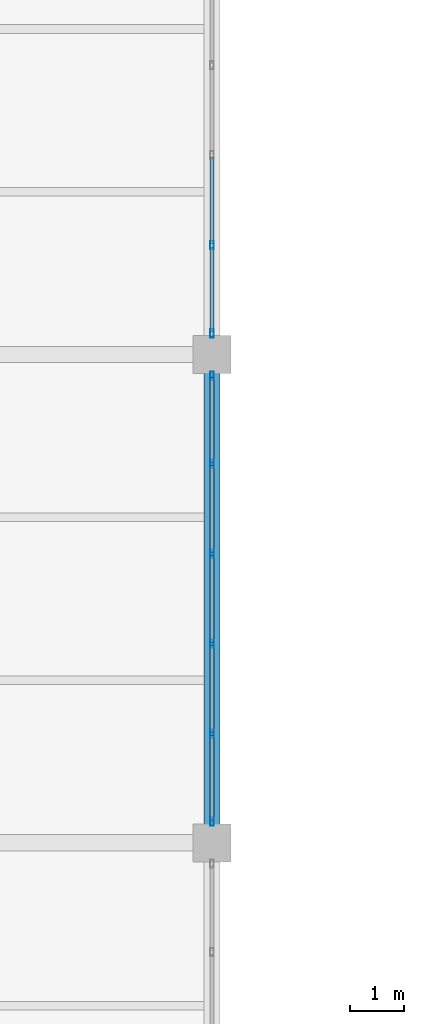
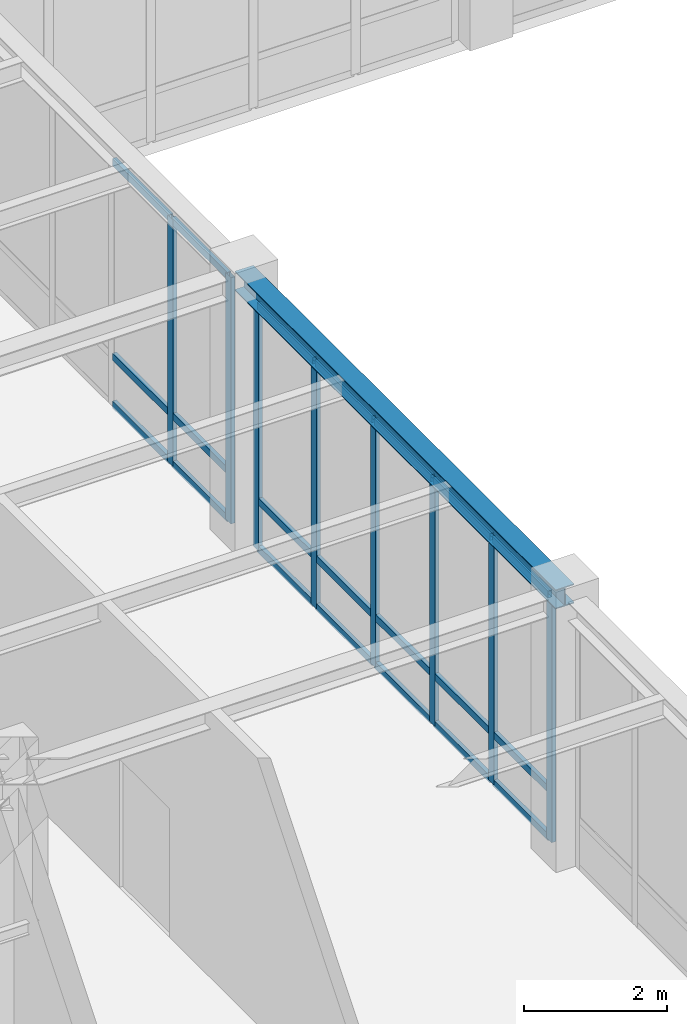
# One storey, part 24 of 98: 29 members, 1 beam, 2 elements without a shape of their own.
"""IFC4 building model written with IfcOpenShell, lengths in metres."""

from ifc_helpers import new_model, si_unit, direction, frame, origin, origin_2d, place, context, subcontext, project, spatial, hollow_rectangle, i_section, extrude, material, material_profile, profile_set, type_object, element, aggregate, save


model = new_model("IFC4")

# Units and contexts
model_context = context("Model", 3, precision=1e-05, world=origin(), true_north=direction((0.0, 1.0)))
body_context = subcontext(model_context, "Body", "Model", "MODEL_VIEW")
ifc_project = project(units=[si_unit("LENGTHUNIT", "METRE"), si_unit("AREAUNIT", "SQUARE_METRE"), si_unit("VOLUMEUNIT", "CUBIC_METRE"), si_unit("PLANEANGLEUNIT", "RADIAN"), si_unit("MASSUNIT", "GRAM", prefix="KILO")], contexts=[model_context])

# Site, building, storey
site_placement = place(None, origin())
site = spatial("IfcSite", under=ifc_project, at=site_placement, CompositionType="ELEMENT")
building_placement = place(site_placement, origin())
building = spatial("IfcBuilding", under=site, at=building_placement, Name="Lykobir Media Centre", CompositionType="ELEMENT")
storey_placement = place(building_placement, frame((0.0, 0.0, 10.199951171875)))
storey = spatial("IfcBuildingStorey", under=building, at=storey_placement, Name="L02", CompositionType="ELEMENT", Elevation=10.199951171875)

# Beam
ifc_material_1 = material(Name="Steel S355", Category="steel")
ifc_material_profile_1 = material_profile(ifc_material_1, i_section(OverallWidth=0.300048828125, OverallDepth=0.330078125, WebThickness=0.009521484375, FlangeThickness=0.0166015625, at=origin_2d()), Name="HEA 340")
ifc_profile_set_1 = profile_set([ifc_material_profile_1], Name="Steel S355")
beam_type = type_object("IfcBeamType", Name="BM-HEA340", PredefinedType="BEAM", material=ifc_profile_set_1)
beam_placement = place(storey_placement, frame((36.0, 45.0, 4.39501953125), z_axis=(0.0, 1.0, 0.0), x_axis=(-1.0, 0.0, 0.0)))
element("IfcBeam", 1, at=beam_placement, inside=storey, type_object=beam_type, Name="Beam BM-L02-0360-0450-0360-0540-1460", PredefinedType="BEAM", context=body_context, shape_type="SweptSolid", body=[
    extrude(i_section(OverallWidth=0.300048828125, OverallDepth=0.330078125, WebThickness=0.009521484375, FlangeThickness=0.0166015625, at=origin_2d()), origin(), (0.0, 0.0, 1.0), 9.0),
])

# Curtain wall, members
ifc_material_2 = material(Name="Anodized Aluminium AW-6060", Category="aluminium")
curtain_wall_type = type_object("IfcCurtainWallType", Name="CW-COURT-A", PredefinedType="NOTDEFINED", material=ifc_material_2)
curtain_wall_1_placement = place(storey_placement, origin())
curtain_wall_1 = element("IfcCurtainWall", 2, at=curtain_wall_1_placement, inside=storey, type_object=curtain_wall_type, Name="Curtain wall CW2-L02-0080", PredefinedType="NOTDEFINED")
ifc_material_profile_2 = material_profile(ifc_material_2, hollow_rectangle(XDim=0.06494140625, YDim=0.14990234375, WallThickness=0.00341796875, at=origin_2d()), Name="ALU MULLION 65x150")
ifc_profile_set_2 = profile_set([ifc_material_profile_2], Name="Anodized Aluminium AW-6060")
member_type_1 = type_object("IfcMemberType", Name="CWM-150", PredefinedType="MULLION", material=ifc_profile_set_2)
member_1_placement = place(storey_placement, frame((36.0, 53.612548828125, 0.0), z_axis=(0.0, 0.0, 1.0), x_axis=(1.0, 0.0, 0.0)))
member_1 = element("IfcMember", 3, at=member_1_placement, type_object=member_type_1, Name="CW2-L02-0080 mullion 1", PredefinedType="MULLION", context=body_context, shape_type="SweptSolid", body=[
    extrude(hollow_rectangle(XDim=0.06494140625, YDim=0.14990234375, WallThickness=0.00341796875, at=origin_2d()), origin(), (0.0, 0.0, 1.0), 4.215087890625),
])
member_2_placement = place(storey_placement, frame((36.0, 51.987060546875, 0.0), z_axis=(0.0, 0.0, 1.0), x_axis=(1.0, 0.0, 0.0)))
member_2 = element("IfcMember", 4, at=member_2_placement, type_object=member_type_1, Name="CW2-L02-0080 mullion 2", PredefinedType="MULLION", context=body_context, shape_type="SweptSolid", body=[
    extrude(hollow_rectangle(XDim=0.06494140625, YDim=0.14990234375, WallThickness=0.00341796875, at=origin_2d()), origin(), (0.0, 0.0, 1.0), 4.215087890625),
])
member_3_placement = place(storey_placement, frame((36.0, 50.3291015625, 0.0), z_axis=(0.0, 0.0, 1.0), x_axis=(1.0, 0.0, 0.0)))
member_3 = element("IfcMember", 5, at=member_3_placement, type_object=member_type_1, Name="CW2-L02-0080 mullion 3", PredefinedType="MULLION", context=body_context, shape_type="SweptSolid", body=[
    extrude(hollow_rectangle(XDim=0.06494140625, YDim=0.14990234375, WallThickness=0.00341796875, at=origin_2d()), origin(), (0.0, 0.0, 1.0), 4.215087890625),
])
member_4_placement = place(storey_placement, frame((36.0, 48.6708984375, 0.0), z_axis=(0.0, 0.0, 1.0), x_axis=(1.0, 0.0, 0.0)))
member_4 = element("IfcMember", 6, at=member_4_placement, type_object=member_type_1, Name="CW2-L02-0080 mullion 4", PredefinedType="MULLION", context=body_context, shape_type="SweptSolid", body=[
    extrude(hollow_rectangle(XDim=0.06494140625, YDim=0.14990234375, WallThickness=0.00341796875, at=origin_2d()), origin(), (0.0, 0.0, 1.0), 4.215087890625),
])
member_5_placement = place(storey_placement, frame((36.0, 47.012939453125, 0.0), z_axis=(0.0, 0.0, 1.0), x_axis=(1.0, 0.0, 0.0)))
member_5 = element("IfcMember", 7, at=member_5_placement, type_object=member_type_1, Name="CW2-L02-0080 mullion 5", PredefinedType="MULLION", context=body_context, shape_type="SweptSolid", body=[
    extrude(hollow_rectangle(XDim=0.06494140625, YDim=0.14990234375, WallThickness=0.00341796875, at=origin_2d()), origin(), (0.0, 0.0, 1.0), 4.215087890625),
])
member_6_placement = place(storey_placement, frame((36.0, 45.387451171875, 0.0), z_axis=(0.0, 0.0, 1.0), x_axis=(1.0, 0.0, 0.0)))
member_6 = element("IfcMember", 8, at=member_6_placement, type_object=member_type_1, Name="CW2-L02-0080 mullion 6", PredefinedType="MULLION", context=body_context, shape_type="SweptSolid", body=[
    extrude(hollow_rectangle(XDim=0.06494140625, YDim=0.14990234375, WallThickness=0.00341796875, at=origin_2d()), origin(), (0.0, 0.0, 1.0), 4.215087890625),
])

curtain_wall_2_placement = place(storey_placement, origin())
curtain_wall_2 = element("IfcCurtainWall", 9, at=curtain_wall_2_placement, inside=storey, type_object=curtain_wall_type, Name="Curtain wall CW2-L02-0081", PredefinedType="NOTDEFINED")
member_7_placement = place(storey_placement, frame((36.0, 56.012939453125, 0.0), z_axis=(0.0, 0.0, 1.0), x_axis=(1.0, 0.0, 0.0)))
member_7 = element("IfcMember", 10, at=member_7_placement, type_object=member_type_1, Name="CW2-L02-0081 mullion 5", PredefinedType="MULLION", context=body_context, shape_type="SweptSolid", body=[
    extrude(hollow_rectangle(XDim=0.06494140625, YDim=0.14990234375, WallThickness=0.00341796875, at=origin_2d()), origin(), (0.0, 0.0, 1.0), 4.215087890625),
])
member_8_placement = place(storey_placement, frame((36.0, 54.387451171875, 0.0), z_axis=(0.0, 0.0, 1.0), x_axis=(1.0, 0.0, 0.0)))
member_8 = element("IfcMember", 11, at=member_8_placement, type_object=member_type_1, Name="CW2-L02-0081 mullion 6", PredefinedType="MULLION", context=body_context, shape_type="SweptSolid", body=[
    extrude(hollow_rectangle(XDim=0.06494140625, YDim=0.14990234375, WallThickness=0.00341796875, at=origin_2d()), origin(), (0.0, 0.0, 1.0), 4.215087890625),
])

# Member
ifc_material_profile_3 = material_profile(ifc_material_2, hollow_rectangle(XDim=0.06494140625, YDim=0.1201171875, WallThickness=0.0029296875, at=origin_2d()), Name="ALU TRANSOM 65x120")
ifc_profile_set_3 = profile_set([ifc_material_profile_3], Name="Anodized Aluminium AW-6060")
member_type_2 = type_object("IfcMemberType", Name="CWT-120", PredefinedType="USERDEFINED", material=ifc_profile_set_3)
member_9_placement = place(storey_placement, frame((36.0, 53.580078125, 0.032470703125), z_axis=(0.0, -1.0, 0.0), x_axis=(1.0, 0.0, 0.0)))
member_9 = element("IfcMember", 12, at=member_9_placement, type_object=member_type_2, Name="CW2-L02-0080 transom 1.1", ObjectType="TRANSOM", PredefinedType="USERDEFINED", context=body_context, shape_type="SweptSolid", body=[
    extrude(hollow_rectangle(XDim=0.06494140625, YDim=0.1201171875, WallThickness=0.0029296875, at=origin_2d()), origin(), (0.0, 0.0, 1.0), 1.560546875),
])

member_10_placement = place(storey_placement, frame((36.0, 53.580078125, 0.85009765625), z_axis=(0.0, -1.0, 0.0), x_axis=(1.0, 0.0, 0.0)))
member_10 = element("IfcMember", 13, at=member_10_placement, type_object=member_type_2, Name="CW2-L02-0080 transom 1.2", ObjectType="TRANSOM", PredefinedType="USERDEFINED", context=body_context, shape_type="SweptSolid", body=[
    extrude(hollow_rectangle(XDim=0.06494140625, YDim=0.1201171875, WallThickness=0.0029296875, at=origin_2d()), origin(), (0.0, 0.0, 1.0), 1.560546875),
])

member_11_placement = place(storey_placement, frame((36.0, 53.580078125, 4.1826171875), z_axis=(0.0, -1.0, 0.0), x_axis=(1.0, 0.0, 0.0)))
member_11 = element("IfcMember", 14, at=member_11_placement, type_object=member_type_2, Name="CW2-L02-0080 transom 1.3", ObjectType="TRANSOM", PredefinedType="USERDEFINED", context=body_context, shape_type="SweptSolid", body=[
    extrude(hollow_rectangle(XDim=0.06494140625, YDim=0.1201171875, WallThickness=0.0029296875, at=origin_2d()), origin(), (0.0, 0.0, 1.0), 1.560546875),
])

member_12_placement = place(storey_placement, frame((36.0, 51.95458984375, 0.032470703125), z_axis=(0.0, -1.0, 0.0), x_axis=(1.0, 0.0, 0.0)))
member_12 = element("IfcMember", 15, at=member_12_placement, type_object=member_type_2, Name="CW2-L02-0080 transom 2.1", ObjectType="TRANSOM", PredefinedType="USERDEFINED", context=body_context, shape_type="SweptSolid", body=[
    extrude(hollow_rectangle(XDim=0.06494140625, YDim=0.1201171875, WallThickness=0.0029296875, at=origin_2d()), origin(), (0.0, 0.0, 1.0), 1.593017578125),
])

member_13_placement = place(storey_placement, frame((36.0, 51.95458984375, 0.85009765625), z_axis=(0.0, -1.0, 0.0), x_axis=(1.0, 0.0, 0.0)))
member_13 = element("IfcMember", 16, at=member_13_placement, type_object=member_type_2, Name="CW2-L02-0080 transom 2.2", ObjectType="TRANSOM", PredefinedType="USERDEFINED", context=body_context, shape_type="SweptSolid", body=[
    extrude(hollow_rectangle(XDim=0.06494140625, YDim=0.1201171875, WallThickness=0.0029296875, at=origin_2d()), origin(), (0.0, 0.0, 1.0), 1.593017578125),
])

member_14_placement = place(storey_placement, frame((36.0, 51.95458984375, 4.1826171875), z_axis=(0.0, -1.0, 0.0), x_axis=(1.0, 0.0, 0.0)))
member_14 = element("IfcMember", 17, at=member_14_placement, type_object=member_type_2, Name="CW2-L02-0080 transom 2.3", ObjectType="TRANSOM", PredefinedType="USERDEFINED", context=body_context, shape_type="SweptSolid", body=[
    extrude(hollow_rectangle(XDim=0.06494140625, YDim=0.1201171875, WallThickness=0.0029296875, at=origin_2d()), origin(), (0.0, 0.0, 1.0), 1.593017578125),
])

member_15_placement = place(storey_placement, frame((36.0, 50.29638671875, 0.032470703125), z_axis=(0.0, -1.0, 0.0), x_axis=(1.0, 0.0, 0.0)))
member_15 = element("IfcMember", 18, at=member_15_placement, type_object=member_type_2, Name="CW2-L02-0080 transom 3.1", ObjectType="TRANSOM", PredefinedType="USERDEFINED", context=body_context, shape_type="SweptSolid", body=[
    extrude(hollow_rectangle(XDim=0.06494140625, YDim=0.1201171875, WallThickness=0.0029296875, at=origin_2d()), origin(), (0.0, 0.0, 1.0), 1.5927734375),
])

member_16_placement = place(storey_placement, frame((36.0, 50.29638671875, 0.85009765625), z_axis=(0.0, -1.0, 0.0), x_axis=(1.0, 0.0, 0.0)))
member_16 = element("IfcMember", 19, at=member_16_placement, type_object=member_type_2, Name="CW2-L02-0080 transom 3.2", ObjectType="TRANSOM", PredefinedType="USERDEFINED", context=body_context, shape_type="SweptSolid", body=[
    extrude(hollow_rectangle(XDim=0.06494140625, YDim=0.1201171875, WallThickness=0.0029296875, at=origin_2d()), origin(), (0.0, 0.0, 1.0), 1.5927734375),
])

member_17_placement = place(storey_placement, frame((36.0, 50.29638671875, 4.1826171875), z_axis=(0.0, -1.0, 0.0), x_axis=(1.0, 0.0, 0.0)))
member_17 = element("IfcMember", 20, at=member_17_placement, type_object=member_type_2, Name="CW2-L02-0080 transom 3.3", ObjectType="TRANSOM", PredefinedType="USERDEFINED", context=body_context, shape_type="SweptSolid", body=[
    extrude(hollow_rectangle(XDim=0.06494140625, YDim=0.1201171875, WallThickness=0.0029296875, at=origin_2d()), origin(), (0.0, 0.0, 1.0), 1.5927734375),
])

member_18_placement = place(storey_placement, frame((36.0, 48.638427734375, 0.032470703125), z_axis=(0.0, -1.0, 0.0), x_axis=(1.0, 0.0, 0.0)))
member_18 = element("IfcMember", 21, at=member_18_placement, type_object=member_type_2, Name="CW2-L02-0080 transom 4.1", ObjectType="TRANSOM", PredefinedType="USERDEFINED", context=body_context, shape_type="SweptSolid", body=[
    extrude(hollow_rectangle(XDim=0.06494140625, YDim=0.1201171875, WallThickness=0.0029296875, at=origin_2d()), origin(), (0.0, 0.0, 1.0), 1.593017578125),
])

member_19_placement = place(storey_placement, frame((36.0, 48.638427734375, 0.85009765625), z_axis=(0.0, -1.0, 0.0), x_axis=(1.0, 0.0, 0.0)))
member_19 = element("IfcMember", 22, at=member_19_placement, type_object=member_type_2, Name="CW2-L02-0080 transom 4.2", ObjectType="TRANSOM", PredefinedType="USERDEFINED", context=body_context, shape_type="SweptSolid", body=[
    extrude(hollow_rectangle(XDim=0.06494140625, YDim=0.1201171875, WallThickness=0.0029296875, at=origin_2d()), origin(), (0.0, 0.0, 1.0), 1.593017578125),
])

member_20_placement = place(storey_placement, frame((36.0, 48.638427734375, 4.1826171875), z_axis=(0.0, -1.0, 0.0), x_axis=(1.0, 0.0, 0.0)))
member_20 = element("IfcMember", 23, at=member_20_placement, type_object=member_type_2, Name="CW2-L02-0080 transom 4.3", ObjectType="TRANSOM", PredefinedType="USERDEFINED", context=body_context, shape_type="SweptSolid", body=[
    extrude(hollow_rectangle(XDim=0.06494140625, YDim=0.1201171875, WallThickness=0.0029296875, at=origin_2d()), origin(), (0.0, 0.0, 1.0), 1.593017578125),
])

member_21_placement = place(storey_placement, frame((36.0, 46.98046875, 0.032470703125), z_axis=(0.0, -1.0, 0.0), x_axis=(1.0, 0.0, 0.0)))
member_21 = element("IfcMember", 24, at=member_21_placement, type_object=member_type_2, Name="CW2-L02-0080 transom 5.1", ObjectType="TRANSOM", PredefinedType="USERDEFINED", context=body_context, shape_type="SweptSolid", body=[
    extrude(hollow_rectangle(XDim=0.06494140625, YDim=0.1201171875, WallThickness=0.0029296875, at=origin_2d()), origin(), (0.0, 0.0, 1.0), 1.560546875),
])

member_22_placement = place(storey_placement, frame((36.0, 46.98046875, 0.85009765625), z_axis=(0.0, -1.0, 0.0), x_axis=(1.0, 0.0, 0.0)))
member_22 = element("IfcMember", 25, at=member_22_placement, type_object=member_type_2, Name="CW2-L02-0080 transom 5.2", ObjectType="TRANSOM", PredefinedType="USERDEFINED", context=body_context, shape_type="SweptSolid", body=[
    extrude(hollow_rectangle(XDim=0.06494140625, YDim=0.1201171875, WallThickness=0.0029296875, at=origin_2d()), origin(), (0.0, 0.0, 1.0), 1.560546875),
])

member_23_placement = place(storey_placement, frame((36.0, 46.98046875, 4.1826171875), z_axis=(0.0, -1.0, 0.0), x_axis=(1.0, 0.0, 0.0)))
member_23 = element("IfcMember", 26, at=member_23_placement, type_object=member_type_2, Name="CW2-L02-0080 transom 5.3", ObjectType="TRANSOM", PredefinedType="USERDEFINED", context=body_context, shape_type="SweptSolid", body=[
    extrude(hollow_rectangle(XDim=0.06494140625, YDim=0.1201171875, WallThickness=0.0029296875, at=origin_2d()), origin(), (0.0, 0.0, 1.0), 1.560546875),
])

aggregate(curtain_wall_1, [member_1, member_2, member_3, member_4, member_5, member_6, member_9, member_10, member_11, member_12, member_13, member_14, member_15, member_16, member_17, member_18, member_19, member_20, member_21, member_22, member_23])

member_24_placement = place(storey_placement, frame((36.0, 57.638427734375, 0.032470703125), z_axis=(0.0, -1.0, 0.0), x_axis=(1.0, 0.0, 0.0)))
member_24 = element("IfcMember", 27, at=member_24_placement, type_object=member_type_2, Name="CW2-L02-0081 transom 4.1", ObjectType="TRANSOM", PredefinedType="USERDEFINED", context=body_context, shape_type="SweptSolid", body=[
    extrude(hollow_rectangle(XDim=0.06494140625, YDim=0.1201171875, WallThickness=0.0029296875, at=origin_2d()), origin(), (0.0, 0.0, 1.0), 1.593017578125),
])

member_25_placement = place(storey_placement, frame((36.0, 57.638427734375, 0.85009765625), z_axis=(0.0, -1.0, 0.0), x_axis=(1.0, 0.0, 0.0)))
member_25 = element("IfcMember", 28, at=member_25_placement, type_object=member_type_2, Name="CW2-L02-0081 transom 4.2", ObjectType="TRANSOM", PredefinedType="USERDEFINED", context=body_context, shape_type="SweptSolid", body=[
    extrude(hollow_rectangle(XDim=0.06494140625, YDim=0.1201171875, WallThickness=0.0029296875, at=origin_2d()), origin(), (0.0, 0.0, 1.0), 1.593017578125),
])

member_26_placement = place(storey_placement, frame((36.0, 57.638427734375, 4.1826171875), z_axis=(0.0, -1.0, 0.0), x_axis=(1.0, 0.0, 0.0)))
member_26 = element("IfcMember", 29, at=member_26_placement, type_object=member_type_2, Name="CW2-L02-0081 transom 4.3", ObjectType="TRANSOM", PredefinedType="USERDEFINED", context=body_context, shape_type="SweptSolid", body=[
    extrude(hollow_rectangle(XDim=0.06494140625, YDim=0.1201171875, WallThickness=0.0029296875, at=origin_2d()), origin(), (0.0, 0.0, 1.0), 1.593017578125),
])

member_27_placement = place(storey_placement, frame((36.0, 55.98046875, 0.032470703125), z_axis=(0.0, -1.0, 0.0), x_axis=(1.0, 0.0, 0.0)))
member_27 = element("IfcMember", 30, at=member_27_placement, type_object=member_type_2, Name="CW2-L02-0081 transom 5.1", ObjectType="TRANSOM", PredefinedType="USERDEFINED", context=body_context, shape_type="SweptSolid", body=[
    extrude(hollow_rectangle(XDim=0.06494140625, YDim=0.1201171875, WallThickness=0.0029296875, at=origin_2d()), origin(), (0.0, 0.0, 1.0), 1.560546875),
])

member_28_placement = place(storey_placement, frame((36.0, 55.98046875, 0.85009765625), z_axis=(0.0, -1.0, 0.0), x_axis=(1.0, 0.0, 0.0)))
member_28 = element("IfcMember", 31, at=member_28_placement, type_object=member_type_2, Name="CW2-L02-0081 transom 5.2", ObjectType="TRANSOM", PredefinedType="USERDEFINED", context=body_context, shape_type="SweptSolid", body=[
    extrude(hollow_rectangle(XDim=0.06494140625, YDim=0.1201171875, WallThickness=0.0029296875, at=origin_2d()), origin(), (0.0, 0.0, 1.0), 1.560546875),
])

member_29_placement = place(storey_placement, frame((36.0, 55.98046875, 4.1826171875), z_axis=(0.0, -1.0, 0.0), x_axis=(1.0, 0.0, 0.0)))
member_29 = element("IfcMember", 32, at=member_29_placement, type_object=member_type_2, Name="CW2-L02-0081 transom 5.3", ObjectType="TRANSOM", PredefinedType="USERDEFINED", context=body_context, shape_type="SweptSolid", body=[
    extrude(hollow_rectangle(XDim=0.06494140625, YDim=0.1201171875, WallThickness=0.0029296875, at=origin_2d()), origin(), (0.0, 0.0, 1.0), 1.560546875),
])

aggregate(curtain_wall_2, [member_7, member_8, member_24, member_25, member_26, member_27, member_28, member_29])

save(model, "model.ifc")
